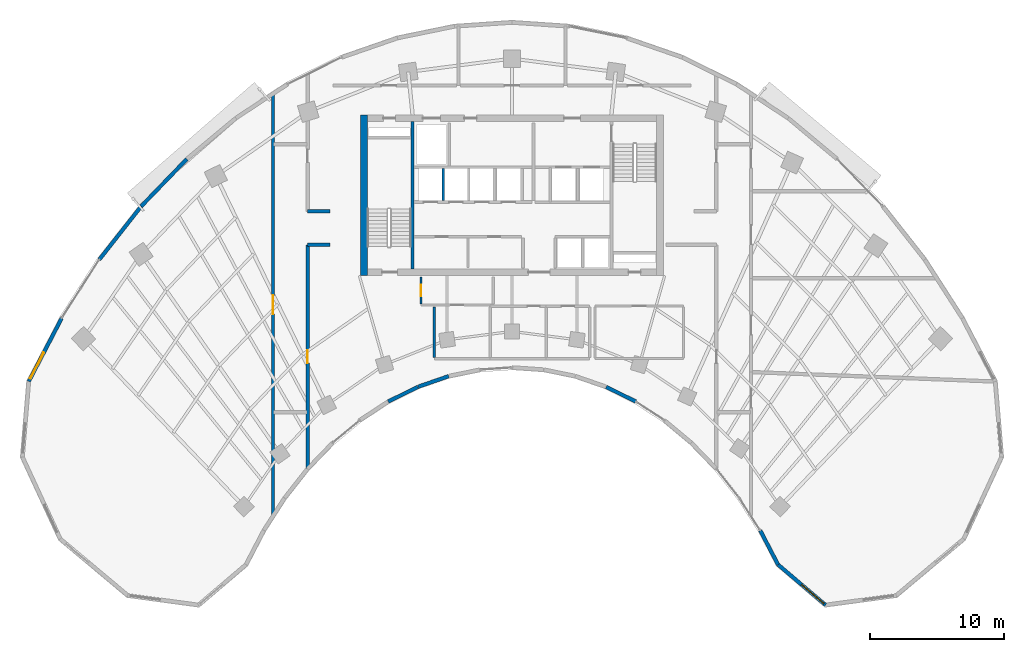
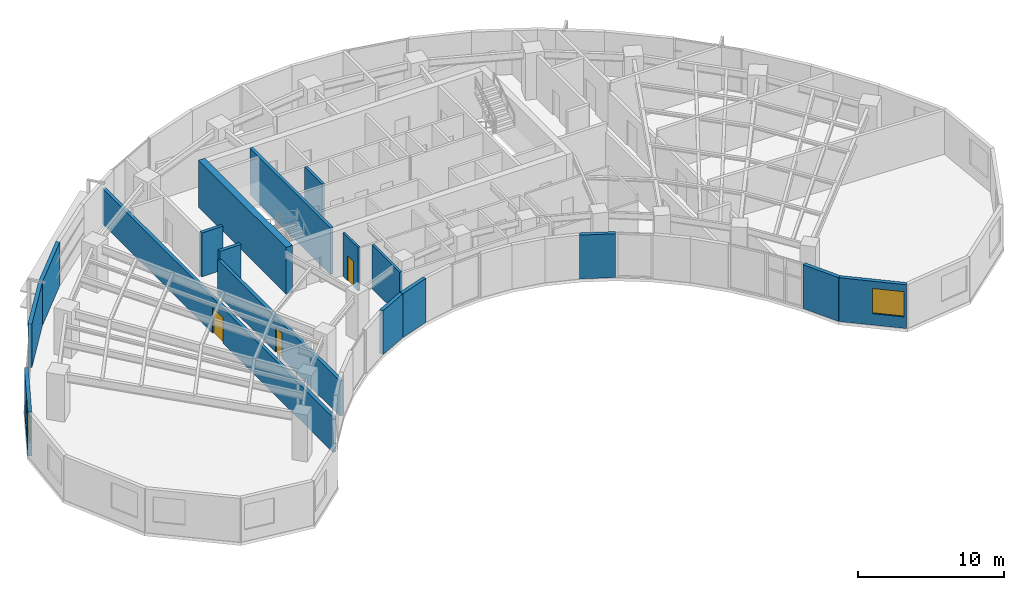
# One storey, part 8 of 14: 17 walls, 3 doors, 2 windows, 5 openings.
"""IFC4 building model written with IfcOpenShell, lengths in metres."""

from ifc_helpers import new_model, si_unit, direction, frame, frame_2d, origin, place, context, subcontext, project, spatial, rectangle, extrude, source, transform, mapped, material, layer, layer_set, type_object, type_shapes, element, fill, save


model = new_model("IFC4")

# Units and contexts
model_context = context("Model", 3, precision=1e-05, world=origin(), true_north=direction((0.0, 1.0)))
body_context = subcontext(model_context, "Body", "Model", "MODEL_VIEW")
ifc_project = project(units=[si_unit("LENGTHUNIT", "METRE"), si_unit("AREAUNIT", "SQUARE_METRE"), si_unit("VOLUMEUNIT", "CUBIC_METRE"), si_unit("PLANEANGLEUNIT", "RADIAN"), si_unit("MASSUNIT", "GRAM", prefix="KILO")], contexts=[model_context])

# Site, building, storey
site_placement = place(None, origin())
site = spatial("IfcSite", under=ifc_project, at=site_placement, CompositionType="ELEMENT")
building_placement = place(site_placement, origin())
building = spatial("IfcBuilding", under=site, at=building_placement, Name="Breltana Convention Tower", CompositionType="ELEMENT")
storey_placement = place(building_placement, frame((0.0, 0.0, 123.300048828125)))
storey = spatial("IfcBuildingStorey", under=building, at=storey_placement, Name="L29", CompositionType="ELEMENT", Elevation=123.300048828125)

# Walls
ifc_material_1 = material(Name="Concrete C60/75", Category="concrete")
ifc_layer_1 = layer(ifc_material_1, 0.5, Name="Concrete C60/75")
ifc_layer_set_1 = layer_set([ifc_layer_1], Name="Concrete C60/75")
wall_type_1 = type_object("IfcWallType", Name="SW-CORE-500", PredefinedType="SHEAR", material=ifc_layer_set_1)
shared_shape_1 = source(origin(), body_context, "Body", "SweptSolid", [
    extrude(rectangle(XDim=12.0, YDim=0.5, at=frame_2d((6.0, 0.0))), origin(), (0.0, 0.0, 1.0), 3.89990234375),
])
wall_1_placement = place(storey_placement, frame((36.949951171875, 60.199951171875, 0.0), z_axis=(0.0, 0.0, 1.0), x_axis=(0.0, 1.0, 0.0)))
element("IfcWall", 1, at=wall_1_placement, inside=storey, type_object=wall_type_1, Name="L29 West Core Shear Wall", PredefinedType="SHEAR", context=body_context, shape_type="MappedRepresentation", body=[
    mapped(shared_shape_1, transform((0.0, 0.0, 0.0), scale=1.0)),
])
ifc_material_2 = material(Name="Concrete C50/60", Category="concrete")
ifc_layer_2 = layer(ifc_material_2, 0.39990234375, Name="Concrete C50/60")
ifc_layer_set_2 = layer_set([ifc_layer_2], Name="Concrete C50/60")
wall_type_2 = type_object("IfcWallType", Name="SW-CORE-400", PredefinedType="SHEAR", material=ifc_layer_set_2)
shared_shape_2 = source(origin(), body_context, "Body", "SweptSolid", [
    extrude(rectangle(XDim=11.0, YDim=0.219970703125, at=frame_2d((5.5, 0.0))), origin(), (0.0, 0.0, 1.0), 3.89990234375),
])
wall_2_placement = place(storey_placement, frame((40.580078125, 60.699951171875, 0.0), z_axis=(0.0, 0.0, 1.0), x_axis=(0.0, 1.0, 0.0)))
element("IfcWall", 2, at=wall_2_placement, inside=storey, type_object=wall_type_2, Name="L29 Core West Stair Spine Wall", PredefinedType="SHEAR", context=body_context, shape_type="MappedRepresentation", body=[
    mapped(shared_shape_2, transform((0.0, 0.0, 0.0), scale=1.0)),
])

# Wall, opening, window
ifc_material_3 = material(Name="Limestone Buff Insulated Wall", Category="masonry")
ifc_layer_3 = layer(ifc_material_3, 0.280029296875, Name="Limestone Buff Insulated Wall")
ifc_layer_set_3 = layer_set([ifc_layer_3], Name="Limestone Buff Insulated Wall")
wall_type_3 = type_object("IfcWallType", Name="WL-EXT-NOSE-280", PredefinedType="SOLIDWALL", material=ifc_layer_set_3)
shared_shape_3 = source(origin(), body_context, "Body", "SweptSolid", [
    extrude(rectangle(XDim=4.6591796875, YDim=0.280029296875, at=frame_2d((2.32958984375, 0.0))), origin(), (0.0, 0.0, 1.0), 3.64990234375),
])
wall_3_placement = place(storey_placement, frame((71.410400390625, 35.606201171875, 0.0), z_axis=(0.0, 0.0, 1.0), x_axis=(-0.761913458795, 0.647678841176, 0.0)))
wall_3 = element("IfcWall", 3, at=wall_3_placement, inside=storey, type_object=wall_type_3, Name="L29 curved limestone nose wall E5", PredefinedType="SOLIDWALL", context=body_context, shape_type="MappedRepresentation", body=[
    mapped(shared_shape_3, transform((0.0, 0.0, 0.0), scale=1.0)),
])
opening_1_placement = place(wall_3_placement, frame((0.159912109375, 0.0, 0.949951171875)))
opening_1 = element("IfcOpeningElement", 4, at=opening_1_placement, cuts=wall_3, Name="Opening W-03", PredefinedType="OPENING", context=body_context, shape_type="SweptSolid", body=[
    extrude(rectangle(XDim=2.199951171875, YDim=2.10009765625, at=frame_2d((1.10009765625, 1.050048828125))), frame((0.0, 0.14990234375, 0.0), z_axis=(0.0, -1.0, 0.0), x_axis=(1.0, 0.0, 0.0)), (0.0, 0.0, 1.0), 0.300048828125),
])
ifc_material_4 = material(Name="Glass Low-E Insulated Window", Category="glass")
window_type = type_object("IfcWindowType", Name="WN-NOSE-2200X2100", PartitioningType="TRIPLE_PANEL_VERTICAL", PredefinedType="WINDOW", material=ifc_material_4)
shared_shape_4 = source(origin(), body_context, "Body", "SweptSolid", [
    extrude(rectangle(XDim=2.199951171875, YDim=2.10009765625, at=frame_2d((1.10009765625, 1.050048828125))), frame((0.0, 0.030029296875, 0.0), z_axis=(0.0, -1.0, 0.0), x_axis=(1.0, 0.0, 0.0)), (0.0, 0.0, 1.0), 0.06005859375),
])
type_shapes(window_type, [shared_shape_4])
window_1_placement = place(opening_1_placement, origin())
window_1 = element("IfcWindow", 5, at=window_1_placement, inside=storey, type_object=window_type, Name="L29 nose window E5", OverallHeight=2.10009765625, OverallWidth=2.199951171875, PartitioningType="TRIPLE_PANEL_VERTICAL", PredefinedType="WINDOW", context=body_context, shape_type="MappedRepresentation", body=[
    mapped(shared_shape_4, transform((0.0, 0.0, 0.0), scale=1.0)),
])
fill(opening_1, window_1)

# Walls
shared_shape_5 = source(origin(), body_context, "Body", "SweptSolid", [
    extrude(rectangle(XDim=2.8798828125, YDim=0.280029296875, at=frame_2d((1.43994140625, 0.0))), origin(), (0.0, 0.0, 1.0), 3.64990234375),
])
wall_4_placement = place(storey_placement, frame((67.860595703125, 38.623779296875, 0.0), z_axis=(0.0, 0.0, 1.0), x_axis=(-0.461769086658, 0.887000175088, 0.0)))
element("IfcWall", 6, at=wall_4_placement, inside=storey, type_object=wall_type_3, Name="L29 curved limestone nose wall E6", PredefinedType="SOLIDWALL", context=body_context, shape_type="MappedRepresentation", body=[
    mapped(shared_shape_5, transform((0.0, 0.0, 0.0), scale=1.0)),
])
shared_shape_6 = source(origin(), body_context, "Body", "SweptSolid", [
    extrude(rectangle(XDim=2.46240234375, YDim=0.280029296875, at=frame_2d((1.231201171875, 0.0))), origin(), (0.0, 0.0, 1.0), 3.64990234375),
])
for number, where, z_axis, x_axis, name in (
    (7, (57.239013671875, 50.797119140625, 0.0), (0.0, 0.0, 1.0), (-0.8959882207, 0.444077817917, 0.0), "L29 curved limestone nose wall E9"),
    (8, (40.96728515625, 51.890625, 0.0), (0.0, 0.0, 1.0), (-0.8959882207, -0.444077817917, 0.0), "L29 curved limestone nose wall E15"),
):
    element("IfcWall", number, at=place(storey_placement, frame(where, z_axis=z_axis, x_axis=x_axis)), inside=storey, type_object=wall_type_3, Name=name, PredefinedType="SOLIDWALL", context=body_context, shape_type="MappedRepresentation", body=[
        mapped(shared_shape_6, transform((0.0, 0.0, 0.0), scale=1.0)),
    ])
shared_shape_7 = source(origin(), body_context, "Body", "SweptSolid", [
    extrude(rectangle(XDim=2.41064453125, YDim=0.280029296875, at=frame_2d((1.205322265625, 0.0))), origin(), (0.0, 0.0, 1.0), 3.64990234375),
])
wall_5_placement = place(storey_placement, frame((43.26611328125, 52.688720703125, 0.0), z_axis=(0.0, 0.0, 1.0), x_axis=(-0.944880068161, -0.327416640982, 0.0)))
element("IfcWall", 9, at=wall_5_placement, inside=storey, type_object=wall_type_3, Name="L29 curved limestone nose wall E14", PredefinedType="SOLIDWALL", context=body_context, shape_type="MappedRepresentation", body=[
    mapped(shared_shape_7, transform((0.0, 0.0, 0.0), scale=1.0)),
])

# Wall, opening, window
shared_shape_8 = source(origin(), body_context, "Body", "SweptSolid", [
    extrude(rectangle(XDim=5.315185546875, YDim=0.280029296875, at=frame_2d((2.65771484375, 0.0))), origin(), (0.0, 0.0, 1.0), 3.64990234375),
])
wall_6_placement = place(storey_placement, frame((11.92236328125, 52.305419921875, 0.0), z_axis=(0.0, 0.0, 1.0), x_axis=(0.461760527822, 0.887004630735, 0.0)))
wall_6 = element("IfcWall", 10, at=wall_6_placement, inside=storey, type_object=wall_type_3, Name="L29 curved limestone nose wall W7", PredefinedType="SOLIDWALL", context=body_context, shape_type="MappedRepresentation", body=[
    mapped(shared_shape_8, transform((0.0, 0.0, 0.0), scale=1.0)),
])
opening_2_placement = place(wall_6_placement, frame((0.228759765625, 0.0, 0.949951171875)))
opening_2 = element("IfcOpeningElement", 11, at=opening_2_placement, cuts=wall_6, Name="Opening W-03", PredefinedType="OPENING", context=body_context, shape_type="SweptSolid", body=[
    extrude(rectangle(XDim=2.199951171875, YDim=2.10009765625, at=frame_2d((1.10009765625, 1.050048828125))), frame((0.0, 0.14990234375, 0.0), z_axis=(0.0, -1.0, 0.0), x_axis=(1.0, 0.0, 0.0)), (0.0, 0.0, 1.0), 0.300048828125),
])
window_2_placement = place(opening_2_placement, origin())
window_2 = element("IfcWindow", 12, at=window_2_placement, inside=storey, type_object=window_type, Name="L29 nose window W7", OverallHeight=2.10009765625, OverallWidth=2.199951171875, PartitioningType="TRIPLE_PANEL_VERTICAL", PredefinedType="WINDOW", context=body_context, shape_type="MappedRepresentation", body=[
    mapped(shared_shape_4, transform((0.0, 0.0, 0.0), scale=1.0)),
])
fill(opening_2, window_2)

# Walls
shared_shape_9 = source(origin(), body_context, "Body", "SweptSolid", [
    extrude(rectangle(XDim=5.05810546875, YDim=0.280029296875, at=frame_2d((2.529052734375, 0.0))), origin(), (0.0, 0.0, 1.0), 3.64990234375),
])
wall_7_placement = place(storey_placement, frame((17.1884765625, 61.400390625, 0.0), z_axis=(0.0, 0.0, 1.0), x_axis=(0.618145507434, 0.786063694391, 0.0)))
element("IfcWall", 13, at=wall_7_placement, inside=storey, type_object=wall_type_3, Name="L29 curved limestone nose wall E20", PredefinedType="SOLIDWALL", context=body_context, shape_type="MappedRepresentation", body=[
    mapped(shared_shape_9, transform((0.0, 0.0, 0.0), scale=1.0)),
])
shared_shape_10 = source(origin(), body_context, "Body", "SweptSolid", [
    extrude(rectangle(XDim=4.908447265625, YDim=0.280029296875, at=frame_2d((2.4541015625, 0.0))), origin(), (0.0, 0.0, 1.0), 3.64990234375),
])
wall_8_placement = place(storey_placement, frame((20.315185546875, 65.37646484375, 0.0), z_axis=(0.0, 0.0, 1.0), x_axis=(0.694613154328, 0.719383462302, 0.0)))
element("IfcWall", 14, at=wall_8_placement, inside=storey, type_object=wall_type_3, Name="L29 curved limestone nose wall E21", PredefinedType="SOLIDWALL", context=body_context, shape_type="MappedRepresentation", body=[
    mapped(shared_shape_10, transform((0.0, 0.0, 0.0), scale=1.0)),
])
ifc_material_5 = material(Name="Autoclaved Aerated Concrete Block", Category="concrete")
ifc_layer_4 = layer(ifc_material_5, 0.199951171875, Name="Autoclaved Aerated Concrete Block")
ifc_layer_set_4 = layer_set([ifc_layer_4], Name="Autoclaved Aerated Concrete Block")
wall_type_4 = type_object("IfcWallType", Name="WL-SHAFT-200", PredefinedType="SOLIDWALL", material=ifc_layer_set_4)
shared_shape_11 = source(origin(), body_context, "Body", "SweptSolid", [
    extrude(rectangle(XDim=2.39990234375, YDim=0.199951171875, at=frame_2d((1.199951171875, 0.0))), origin(), (0.0, 0.0, 1.0), 3.64990234375),
])
wall_9_placement = place(storey_placement, frame((42.8701171875, 65.800048828125, 0.0), z_axis=(0.0, 0.0, 1.0), x_axis=(0.0, 1.0, 0.0)))
element("IfcWall", 15, at=wall_9_placement, inside=storey, type_object=wall_type_4, Name="L29 interior partition W-L29-SH-M-DIV1", PredefinedType="SOLIDWALL", context=body_context, shape_type="MappedRepresentation", body=[
    mapped(shared_shape_11, transform((0.0, 0.0, 0.0), scale=1.0)),
])
ifc_material_6 = material(Name="Cement Board Wet-Area Partition")
ifc_layer_5 = layer(ifc_material_6, 0.175048828125, Name="Cement Board Wet-Area Partition")
ifc_layer_set_5 = layer_set([ifc_layer_5], Name="Cement Board Wet-Area Partition")
wall_type_5 = type_object("IfcWallType", Name="WL-WET-175", PredefinedType="PARTITIONING", material=ifc_layer_set_5)
shared_shape_12 = source(origin(), body_context, "Body", "SweptSolid", [
    extrude(rectangle(XDim=3.7626953125, YDim=0.175048828125, at=frame_2d((1.88134765625, 0.0))), origin(), (0.0, 0.0, 1.0), 3.64990234375),
])
wall_10_placement = place(storey_placement, frame((42.199951171875, 54.07861328125, 0.0), z_axis=(0.0, 0.0, 1.0), x_axis=(0.0, 1.0, 0.0)))
element("IfcWall", 16, at=wall_10_placement, inside=storey, type_object=wall_type_5, Name="L29 interior partition W-L29-WCM-W", PredefinedType="PARTITIONING", context=body_context, shape_type="MappedRepresentation", body=[
    mapped(shared_shape_12, transform((0.0, 0.0, 0.0), scale=1.0)),
])

# Wall, opening, door
ifc_material_7 = material(Name="Gypsum Acoustic Drywall Partition")
ifc_layer_6 = layer(ifc_material_7, 0.14990234375, Name="Gypsum Acoustic Drywall Partition")
ifc_layer_set_6 = layer_set([ifc_layer_6], Name="Gypsum Acoustic Drywall Partition")
wall_type_6 = type_object("IfcWallType", Name="WL-PART-150", PredefinedType="PARTITIONING", material=ifc_layer_set_6)
shared_shape_13 = source(origin(), body_context, "Body", "SweptSolid", [
    extrude(rectangle(XDim=2.03271484375, YDim=0.14990234375, at=frame_2d((1.016357421875, 0.0))), origin(), (0.0, 0.0, 1.0), 3.64990234375),
])
wall_11_placement = place(storey_placement, frame((41.199951171875, 58.0673828125, 0.0), z_axis=(0.0, 0.0, 1.0), x_axis=(0.0, 1.0, 0.0)))
wall_11 = element("IfcWall", 17, at=wall_11_placement, inside=storey, type_object=wall_type_6, Name="L29 interior partition W-L29-CRSC-W", PredefinedType="PARTITIONING", context=body_context, shape_type="MappedRepresentation", body=[
    mapped(shared_shape_13, transform((0.0, 0.0, 0.0), scale=1.0)),
])
opening_3_placement = place(wall_11_placement, frame((0.59130859375, 0.0, 0.0)))
opening_3 = element("IfcOpeningElement", 18, at=opening_3_placement, cuts=wall_11, Name="Opening D-20", PredefinedType="OPENING", context=body_context, shape_type="SweptSolid", body=[
    extrude(rectangle(XDim=0.85009765625, YDim=2.10009765625, at=frame_2d((0.425048828125, 1.050048828125))), frame((0.0, 0.0849609375, 0.0), z_axis=(0.0, -1.0, 0.0), x_axis=(1.0, 0.0, 0.0)), (0.0, 0.0, 1.0), 0.169921875),
])
ifc_material_8 = material(Name="Steel Closet Fire Door", Category="steel")
door_type_1 = type_object("IfcDoorType", Name="DR-FD60-850", OperationType="NOTDEFINED", PredefinedType="DOOR", material=ifc_material_8)
shared_shape_14 = source(origin(), body_context, "Body", "SweptSolid", [
    extrude(rectangle(XDim=0.85009765625, YDim=2.10009765625, at=frame_2d((0.425048828125, 1.050048828125))), frame((0.0, 0.02490234375, 0.0), z_axis=(0.0, -1.0, 0.0), x_axis=(1.0, 0.0, 0.0)), (0.0, 0.0, 1.0), 0.050048828125),
])
type_shapes(door_type_1, [shared_shape_14])
door_1_placement = place(opening_3_placement, origin())
door_1 = element("IfcDoor", 19, at=door_1_placement, inside=storey, type_object=door_type_1, Name="L29 interior door D-L29-CRSC", OperationType="SINGLE_SWING_RIGHT", OverallHeight=2.10009765625, OverallWidth=0.85009765625, PredefinedType="DOOR", context=body_context, shape_type="MappedRepresentation", body=[
    mapped(shared_shape_14, transform((0.0, 0.0, 0.0), scale=1.0)),
])
fill(opening_3, door_1)

ifc_material_9 = material(Name="Gypsum Acoustic Double Stud Wall")
ifc_layer_7 = layer(ifc_material_9, 0.25, Name="Gypsum Acoustic Double Stud Wall")
ifc_layer_set_7 = layer_set([ifc_layer_7], Name="Gypsum Acoustic Double Stud Wall")
wall_type_7 = type_object("IfcWallType", Name="WL-ACOUSTIC-250", PredefinedType="PARTITIONING", material=ifc_layer_set_7)
shared_shape_15 = source(origin(), body_context, "Body", "SweptSolid", [
    extrude(rectangle(XDim=31.495361328125, YDim=0.25, at=frame_2d((15.74755859375, 0.0))), origin(), (0.0, 0.0, 1.0), 2.94189453125),
])
wall_12_placement = place(storey_placement, frame((30.159912109375, 42.274169921875, 0.0), z_axis=(0.0, 0.0, 1.0), x_axis=(0.0, 1.0, 0.0)))
wall_12 = element("IfcWall", 20, at=wall_12_placement, inside=storey, type_object=wall_type_7, Name="L29 interior partition W-L29-ZW1-E", PredefinedType="PARTITIONING", context=body_context, shape_type="MappedRepresentation", body=[
    mapped(shared_shape_15, transform((0.0, 0.0, 0.0), scale=1.0)),
])
opening_4_placement = place(wall_12_placement, frame((15.047607421875, 0.0, 0.0)))
opening_4 = element("IfcOpeningElement", 21, at=opening_4_placement, cuts=wall_12, Name="Opening D-05", PredefinedType="OPENING", context=body_context, shape_type="SweptSolid", body=[
    extrude(rectangle(XDim=1.39990234375, YDim=2.14990234375, at=frame_2d((0.699951171875, 1.074951171875))), frame((0.0, 0.135009765625, 0.0), z_axis=(0.0, -1.0, 0.0), x_axis=(1.0, 0.0, 0.0)), (0.0, 0.0, 1.0), 0.27001953125),
])
ifc_material_10 = material(Name="Timber Veneer Glazed Double Door", Category="wood")
door_type_2 = type_object("IfcDoorType", Name="DR-DBL-1400", OperationType="DOUBLE_DOOR_SINGLE_SWING", PredefinedType="DOOR", material=ifc_material_10)
shared_shape_16 = source(origin(), body_context, "Body", "SweptSolid", [
    extrude(rectangle(XDim=1.39990234375, YDim=2.14990234375, at=frame_2d((0.699951171875, 1.074951171875))), frame((0.0, 0.02490234375, 0.0), z_axis=(0.0, -1.0, 0.0), x_axis=(1.0, 0.0, 0.0)), (0.0, 0.0, 1.0), 0.050048828125),
])
type_shapes(door_type_2, [shared_shape_16])
door_2_placement = place(opening_4_placement, origin())
door_2 = element("IfcDoor", 22, at=door_2_placement, inside=storey, type_object=door_type_2, Name="L29 interior door D-L29-ZW1", OperationType="SINGLE_SWING_LEFT", OverallHeight=2.14990234375, OverallWidth=1.39990234375, PredefinedType="DOOR", context=body_context, shape_type="MappedRepresentation", body=[
    mapped(shared_shape_16, transform((0.0, 0.0, 0.0), scale=1.0)),
])
fill(opening_4, door_2)

shared_shape_17 = source(origin(), body_context, "Body", "SweptSolid", [
    extrude(rectangle(XDim=16.70556640625, YDim=0.25, at=frame_2d((8.352783203125, 0.0))), origin(), (0.0, 0.0, 1.0), 2.94189453125),
])
wall_13_placement = place(storey_placement, frame((32.739990234375, 45.79443359375, 0.0), z_axis=(0.0, 0.0, 1.0), x_axis=(0.0, 1.0, 0.0)))
wall_13 = element("IfcWall", 23, at=wall_13_placement, inside=storey, type_object=wall_type_7, Name="L29 interior partition W-L29-ZMW1-D", PredefinedType="PARTITIONING", context=body_context, shape_type="MappedRepresentation", body=[
    mapped(shared_shape_17, transform((0.0, 0.0, 0.0), scale=1.0)),
])
opening_5_placement = place(wall_13_placement, frame((7.877685546875, 0.0, 0.0)))
opening_5 = element("IfcOpeningElement", 24, at=opening_5_placement, cuts=wall_13, Name="Opening D-17", PredefinedType="OPENING", context=body_context, shape_type="SweptSolid", body=[
    extrude(rectangle(XDim=0.949951171875, YDim=2.10009765625, at=frame_2d((0.47509765625, 1.050048828125))), frame((0.0, 0.135009765625, 0.0), z_axis=(0.0, -1.0, 0.0), x_axis=(1.0, 0.0, 0.0)), (0.0, 0.0, 1.0), 0.27001953125),
])
ifc_material_11 = material(Name="Timber Oak Veneer Door", Category="wood")
door_type_3 = type_object("IfcDoorType", Name="DR-INT-950", OperationType="NOTDEFINED", PredefinedType="DOOR", material=ifc_material_11)
shared_shape_18 = source(origin(), body_context, "Body", "SweptSolid", [
    extrude(rectangle(XDim=0.949951171875, YDim=2.10009765625, at=frame_2d((0.47509765625, 1.050048828125))), frame((0.0, 0.02490234375, 0.0), z_axis=(0.0, -1.0, 0.0), x_axis=(1.0, 0.0, 0.0)), (0.0, 0.0, 1.0), 0.050048828125),
])
type_shapes(door_type_3, [shared_shape_18])
door_3_placement = place(opening_5_placement, origin())
door_3 = element("IfcDoor", 25, at=door_3_placement, inside=storey, type_object=door_type_3, Name="L29 interior door D-L29-ZMW1", OperationType="SINGLE_SWING_LEFT", OverallHeight=2.10009765625, OverallWidth=0.949951171875, PredefinedType="DOOR", context=body_context, shape_type="MappedRepresentation", body=[
    mapped(shared_shape_18, transform((0.0, 0.0, 0.0), scale=1.0)),
])
fill(opening_5, door_3)

# Walls
shared_shape_19 = source(origin(), body_context, "Body", "SweptSolid", [
    extrude(rectangle(XDim=1.659912109375, YDim=0.25, at=frame_2d((0.830078125, 0.0))), origin(), (0.0, 0.0, 1.0), 3.64990234375),
])
for number, where, z_axis, x_axis, name in (
    (26, (32.739990234375, 62.5, 0.0), (0.0, 0.0, 1.0), (1.0, 0.0, 0.0), "L29 interior partition W-L29-ZMW1-TN"),
    (27, (32.739990234375, 65.0, 0.0), (0.0, 0.0, 1.0), (1.0, 0.0, 0.0), "L29 interior partition W-L29-ZMW2-TS"),
):
    element("IfcWall", number, at=place(storey_placement, frame(where, z_axis=z_axis, x_axis=x_axis)), inside=storey, type_object=wall_type_7, Name=name, PredefinedType="PARTITIONING", context=body_context, shape_type="MappedRepresentation", body=[
        mapped(shared_shape_19, transform((0.0, 0.0, 0.0), scale=1.0)),
    ])

save(model, "model.ifc")
